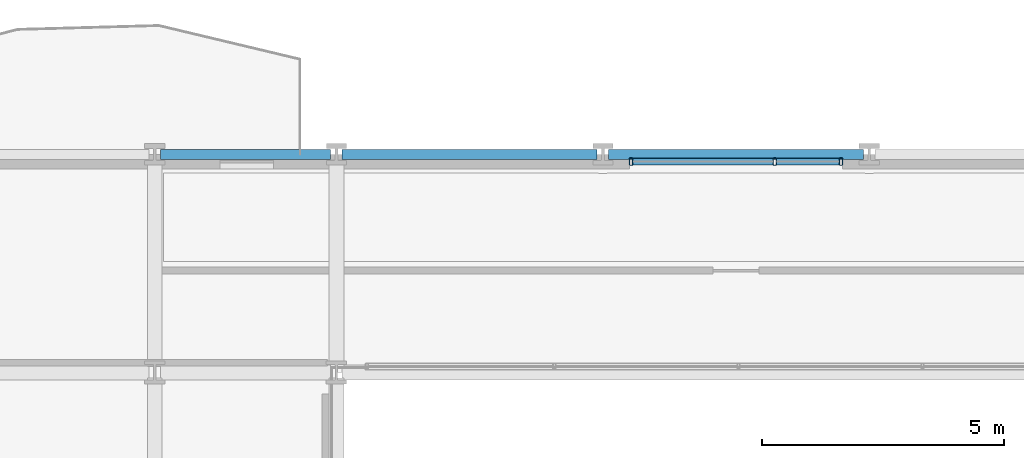
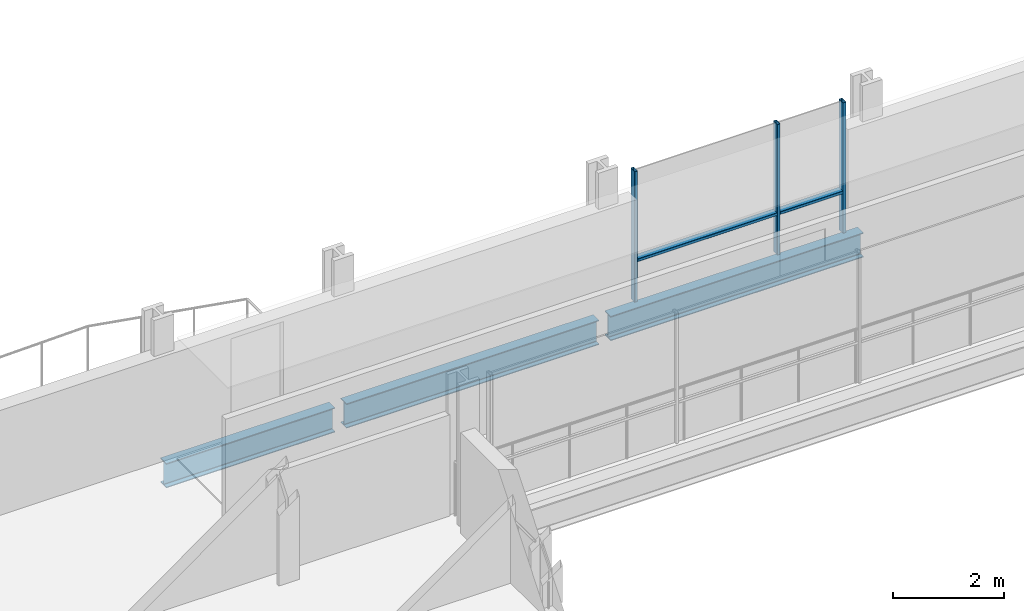
# One storey, part 22 of 40: 5 members, 3 beams, 1 element without a shape of its own.
"""IFC4 building model written with IfcOpenShell, lengths in metres."""

from ifc_helpers import new_model, si_unit, direction, frame, origin, origin_2d, place, context, subcontext, project, spatial, hollow_rectangle, i_section, extrude, material, layer, layer_set, material_profile, profile_set, type_object, element, aggregate, save


model = new_model("IFC4")

# Units and contexts
model_context = context("Model", 3, precision=1e-05, world=origin(), true_north=direction((0.0, 1.0)))
body_context = subcontext(model_context, "Body", "Model", "MODEL_VIEW")
ifc_project = project(units=[si_unit("LENGTHUNIT", "METRE"), si_unit("AREAUNIT", "SQUARE_METRE"), si_unit("VOLUMEUNIT", "CUBIC_METRE"), si_unit("PLANEANGLEUNIT", "RADIAN"), si_unit("MASSUNIT", "GRAM", prefix="KILO")], contexts=[model_context])

# Site, building, storey
site_placement = place(None, origin())
site = spatial("IfcSite", under=ifc_project, at=site_placement, CompositionType="ELEMENT")
building_placement = place(site_placement, origin())
building = spatial("IfcBuilding", under=site, at=building_placement, Name="Brevholm Reach", CompositionType="ELEMENT")
storey_placement = place(building_placement, frame((0.0, 0.0, 31.10009765625)))
storey = spatial("IfcBuildingStorey", under=building, at=storey_placement, Name="L07", CompositionType="ELEMENT", Elevation=31.10009765625)

# Beams
ifc_material_1 = material(Name="Structural Steel S355J2", Category="steel")
ifc_material_profile_1 = material_profile(ifc_material_1, i_section(OverallWidth=0.210693359375, OverallDepth=0.53955078125, WebThickness=0.01171875, FlangeThickness=0.018798828125, FilletRadius=0.0126953125, at=origin_2d()), Name="UKB 533x210x109")
ifc_profile_set_1 = profile_set([ifc_material_profile_1], Name="Structural Steel S355J2")
beam_type = type_object("IfcBeamType", Name="BM-SP539", PredefinedType="SPANDREL", material=ifc_profile_set_1)
beam_placement = place(storey_placement, frame((18.1201171875, 31.0, -0.499755859375), z_axis=(1.0, 0.0, 0.0), x_axis=(0.0, 1.0, 0.0)))
element("IfcBeam", 1, at=beam_placement, inside=storey, type_object=beam_type, Name="L07 SP-01B Framing Beam", PredefinedType="SPANDREL", context=body_context, shape_type="SweptSolid", body=[
    extrude(i_section(OverallWidth=0.210693359375, OverallDepth=0.53955078125, WebThickness=0.01171875, FlangeThickness=0.018798828125, FilletRadius=0.0126953125, at=origin_2d()), origin(), (0.0, 0.0, 1.0), 3.509765625),
])
for number, where, z_axis, x_axis, name in (
    (2, (21.8701171875, 31.0, -0.499755859375), (1.0, 0.0, 0.0), (0.0, 1.0, 0.0), "L07 SP-01B Framing Beam"),
    (3, (27.3701171875, 31.0, -0.499755859375), (1.0, 0.0, 0.0), (0.0, 1.0, 0.0), "L07 SP-01B Framing Beam"),
):
    element("IfcBeam", number, at=place(storey_placement, frame(where, z_axis=z_axis, x_axis=x_axis)), inside=storey, type_object=beam_type, Name=name, PredefinedType="SPANDREL", context=body_context, shape_type="SweptSolid", body=[
        extrude(i_section(OverallWidth=0.210693359375, OverallDepth=0.53955078125, WebThickness=0.01171875, FlangeThickness=0.018798828125, FilletRadius=0.0126953125, at=origin_2d()), origin(), (0.0, 0.0, 1.0), 5.259765625),
    ])

# Curtain wall, members
ifc_material_2 = material(Name="Dark Anodised Aluminium 6063-T6 and Solar-Control Glass", Category="aluminium")
ifc_layer = layer(ifc_material_2, 0.14990234375)
ifc_layer_set = layer_set([ifc_layer], Name="Dark Anodised Aluminium 6063-T6 and Solar-Control Glass")
curtain_wall_type = type_object("IfcCurtainWallType", Name="CW-01", PredefinedType="NOTDEFINED", material=ifc_layer_set)
curtain_wall_placement = place(storey_placement, origin())
curtain_wall = element("IfcCurtainWall", 4, at=curtain_wall_placement, inside=storey, type_object=curtain_wall_type, Name="L07 Curtain Wall CW-01", PredefinedType="NOTDEFINED")
ifc_material_3 = material(Name="Dark Anodised Aluminium 6063-T6", Category="aluminium")
ifc_material_profile_2 = material_profile(ifc_material_3, hollow_rectangle(XDim=0.06494140625, YDim=0.14990234375, WallThickness=0.0048828125, InnerFilletRadius=0.0048828125, OuterFilletRadius=0.010009765625, at=origin_2d()), Name="RHS 150x65x5")
ifc_profile_set_2 = profile_set([ifc_material_profile_2], Name="Dark Anodised Aluminium 6063-T6")
member_type_1 = type_object("IfcMemberType", Name="CWM-150", PredefinedType="MULLION", material=ifc_profile_set_2)
member_1_placement = place(storey_placement, frame((27.83251953125, 30.85009765625, 0.0), z_axis=(0.0, 0.0, 1.0), x_axis=(1.0, 0.0, 0.0)))
member_1 = element("IfcMember", 5, at=member_1_placement, type_object=member_type_1, Name="CM-150 Mullion 1", PredefinedType="MULLION", context=body_context, shape_type="SweptSolid", body=[
    extrude(hollow_rectangle(XDim=0.06494140625, YDim=0.14990234375, WallThickness=0.0048828125, InnerFilletRadius=0.0048828125, OuterFilletRadius=0.010009765625, at=origin_2d()), origin(), (0.0, 0.0, 1.0), 2.869873046875),
])
member_2_placement = place(storey_placement, frame((30.800048828125, 30.85009765625, 0.0), z_axis=(0.0, 0.0, 1.0), x_axis=(1.0, 0.0, 0.0)))
member_2 = element("IfcMember", 6, at=member_2_placement, type_object=member_type_1, Name="CM-150 Mullion 2", PredefinedType="MULLION", context=body_context, shape_type="SweptSolid", body=[
    extrude(hollow_rectangle(XDim=0.06494140625, YDim=0.14990234375, WallThickness=0.0048828125, InnerFilletRadius=0.0048828125, OuterFilletRadius=0.010009765625, at=origin_2d()), origin(), (0.0, 0.0, 1.0), 2.869873046875),
])
member_3_placement = place(storey_placement, frame((32.16748046875, 30.85009765625, 0.0), z_axis=(0.0, 0.0, 1.0), x_axis=(1.0, 0.0, 0.0)))
member_3 = element("IfcMember", 7, at=member_3_placement, type_object=member_type_1, Name="CM-150 Mullion 3", PredefinedType="MULLION", context=body_context, shape_type="SweptSolid", body=[
    extrude(hollow_rectangle(XDim=0.06494140625, YDim=0.14990234375, WallThickness=0.0048828125, InnerFilletRadius=0.0048828125, OuterFilletRadius=0.010009765625, at=origin_2d()), origin(), (0.0, 0.0, 1.0), 2.869873046875),
])
ifc_material_4 = material(Name="Dark Anodised Aluminium 6063-T6", Category="aluminium")
ifc_material_profile_3 = material_profile(ifc_material_4, hollow_rectangle(XDim=0.06494140625, YDim=0.14990234375, WallThickness=0.0048828125, InnerFilletRadius=0.0048828125, OuterFilletRadius=0.010009765625, at=origin_2d()), Name="RHS 150x65x5")
ifc_profile_set_3 = profile_set([ifc_material_profile_3], Name="Dark Anodised Aluminium 6063-T6")
member_type_2 = type_object("IfcMemberType", Name="CWT-150", PredefinedType="NOTDEFINED", material=ifc_profile_set_3)
member_4_placement = place(storey_placement, frame((27.864990234375, 30.85009765625, 0.89990234375), z_axis=(1.0, 0.0, 0.0), x_axis=(0.0, 0.0, 1.0)))
member_4 = element("IfcMember", 8, at=member_4_placement, type_object=member_type_2, Name="CT-150 Transom 1.1", ObjectType="TRANSOM", PredefinedType="USERDEFINED", context=body_context, shape_type="SweptSolid", body=[
    extrude(hollow_rectangle(XDim=0.06494140625, YDim=0.14990234375, WallThickness=0.0048828125, InnerFilletRadius=0.0048828125, OuterFilletRadius=0.010009765625, at=origin_2d()), origin(), (0.0, 0.0, 1.0), 2.902587890625),
])
member_5_placement = place(storey_placement, frame((30.83251953125, 30.85009765625, 0.89990234375), z_axis=(1.0, 0.0, 0.0), x_axis=(0.0, 0.0, 1.0)))
member_5 = element("IfcMember", 9, at=member_5_placement, type_object=member_type_2, Name="CT-150 Transom 2.1", ObjectType="TRANSOM", PredefinedType="USERDEFINED", context=body_context, shape_type="SweptSolid", body=[
    extrude(hollow_rectangle(XDim=0.06494140625, YDim=0.14990234375, WallThickness=0.0048828125, InnerFilletRadius=0.0048828125, OuterFilletRadius=0.010009765625, at=origin_2d()), origin(), (0.0, 0.0, 1.0), 1.302490234375),
])
aggregate(curtain_wall, [member_1, member_2, member_3, member_4, member_5])

save(model, "model.ifc")
